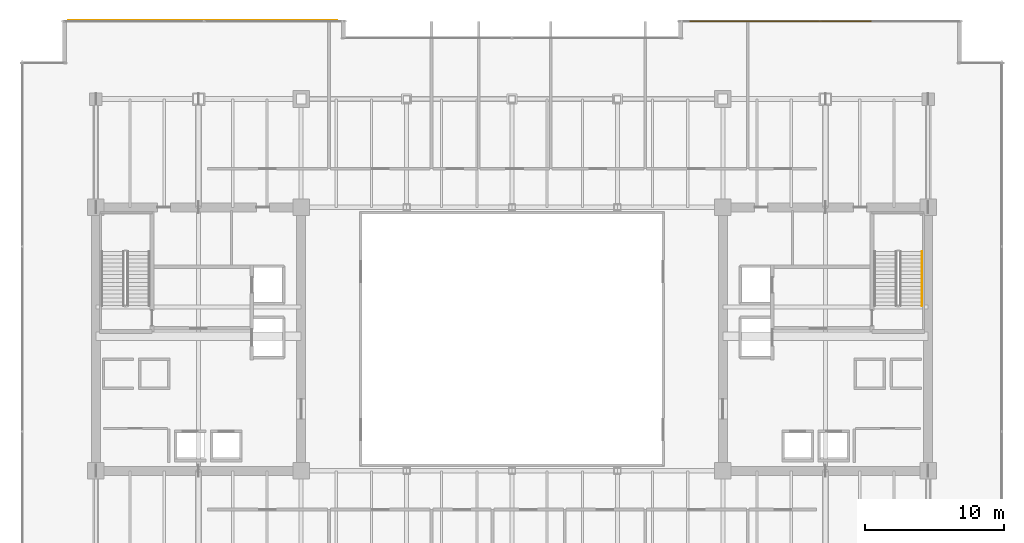
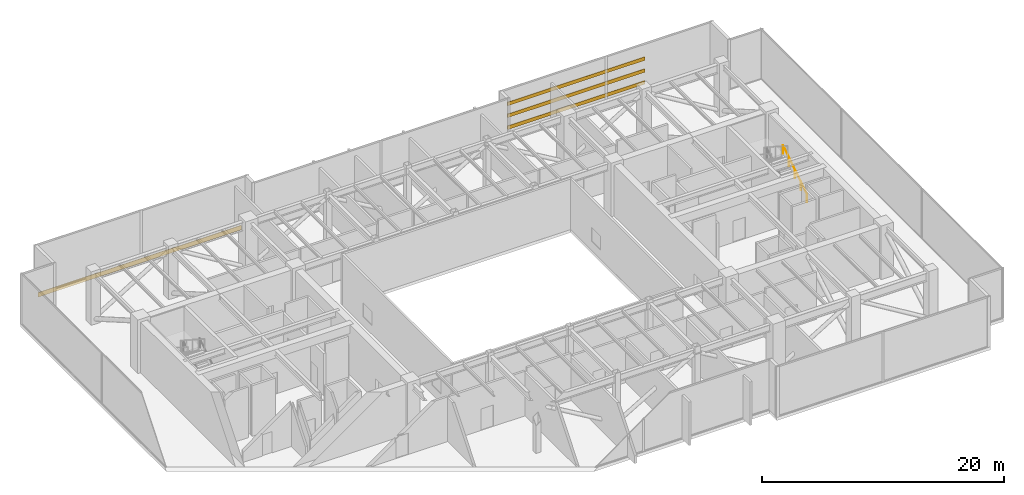
# One storey, part 34 of 34: 3 shading devices, 1 covering, 1 railing.
"""IFC4 building model written with IfcOpenShell, lengths in metres."""

from ifc_helpers import new_model, si_unit, direction, frame, frame_2d, origin, origin_2d, place, context, subcontext, project, spatial, rectangle, circle, extrude, source, transform, mapped, material, layer, layer_set, material_profile, profile_set, type_object, type_shapes, element, save


model = new_model("IFC4")

# Units and contexts
model_context = context("Model", 3, precision=1e-05, world=origin(), true_north=direction((0.0, 1.0)))
body_context = subcontext(model_context, "Body", "Model", "MODEL_VIEW")
ifc_project = project(units=[si_unit("LENGTHUNIT", "METRE"), si_unit("AREAUNIT", "SQUARE_METRE"), si_unit("VOLUMEUNIT", "CUBIC_METRE"), si_unit("PLANEANGLEUNIT", "RADIAN"), si_unit("MASSUNIT", "GRAM", prefix="KILO")], contexts=[model_context])

# Site, building, storey
site_placement = place(None, origin())
site = spatial("IfcSite", under=ifc_project, at=site_placement, CompositionType="ELEMENT")
building_placement = place(site_placement, origin())
building = spatial("IfcBuilding", under=site, at=building_placement, Name="Haelvirn Gate Laboratories", CompositionType="ELEMENT")
storey_placement = place(building_placement, frame((0.0, 0.0, 191.199951171875)))
storey = spatial("IfcBuildingStorey", under=building, at=storey_placement, Name="L46", CompositionType="ELEMENT", Elevation=191.199951171875)

# Covering
ifc_material_1 = material(Name="Anodised bronze honeycomb aluminium spandrel cladding", Category="aluminium")
ifc_layer = layer(ifc_material_1, 0.044921875, Name="COV-CLAD-BRZ")
ifc_layer_set = layer_set([ifc_layer], Name="Anodised bronze honeycomb aluminium spandrel cladding")
covering_type = type_object("IfcCoveringType", Name="COV-CLAD-BRZ", PredefinedType="CLADDING", material=ifc_layer_set)
covering_placement = place(storey_placement, frame((5.39990234375, 47.27001953125, -0.300048828125), z_axis=(0.0, 0.0, 1.0), x_axis=(1.0, 0.0, 0.0)))
element("IfcCovering", 1, at=covering_placement, inside=storey, type_object=covering_type, Name="L46 Bronze Slab-Edge Spandrel Cladding NW", PredefinedType="CLADDING", context=body_context, shape_type="SweptSolid", body=[
    extrude(rectangle(XDim=19.400146484375, YDim=0.044921875, at=frame_2d((9.7001953125, 0.0))), origin(), (0.0, 0.0, 1.0), 0.4501953125),
])

# Shading devices
ifc_material_2 = material(Name="Extruded aluminium 6063-T6 (anodised bronze)", Category="aluminium")
ifc_material_profile = material_profile(ifc_material_2, rectangle(XDim=0.080078125, YDim=0.360107421875, at=origin_2d()), Name="LOUV-360x80")
ifc_profile_set = profile_set([ifc_material_profile], Name="Extruded aluminium 6063-T6 (anodised bronze)")
shading_device_type = type_object("IfcShadingDeviceType", Name="SHD-LOUV-360", PredefinedType="USERDEFINED", material=ifc_profile_set)
shared_shape_1 = source(origin(), body_context, "Body", "SweptSolid", [
    extrude(rectangle(XDim=0.080078125, YDim=0.360107421875, at=origin_2d()), origin(), (0.0, 0.0, 1.0), 13.10009765625),
])
type_shapes(shading_device_type, [shared_shape_1])
for number, where, z_axis, x_axis, name in (
    (2, (50.199951171875, 47.219970703125, 1.150146484375), (1.0, 0.0, 0.0), (0.0, 1.0, 0.0), "L46 North Acoustic Plant Louvre 1"),
    (3, (50.199951171875, 47.219970703125, 2.35009765625), (1.0, 0.0, 0.0), (0.0, 1.0, 0.0), "L46 North Acoustic Plant Louvre 2"),
    (4, (50.199951171875, 47.219970703125, 3.550048828125), (1.0, 0.0, 0.0), (0.0, 1.0, 0.0), "L46 North Acoustic Plant Louvre 3"),
):
    element("IfcShadingDevice", number, at=place(storey_placement, frame(where, z_axis=z_axis, x_axis=x_axis)), inside=storey, type_object=shading_device_type, Name=name, ObjectType="LOUVRE", PredefinedType="USERDEFINED", context=body_context, shape_type="MappedRepresentation", body=[
        mapped(shared_shape_1, transform((0.0, 0.0, 0.0), scale=1.0)),
    ])

# Railing
ifc_material_3 = material(Name="Brushed stainless steel 316L", Category="steel")
railing_type = type_object("IfcRailingType", Name="RL-HAND-920", PredefinedType="HANDRAIL", material=ifc_material_3)
shared_shape_2 = source(origin(), body_context, "Body", "SweptSolid", [
    extrude(circle(Radius=0.02392578125, at=origin_2d()), frame((0.0, 0.0, 0.8759765625), z_axis=(0.0, 0.841186985886, 0.540744352514), x_axis=(-1.0, 0.0, 0.0)), (0.0, 0.0, 1.0), 4.660400390625),
    extrude(circle(Radius=0.02099609375, at=origin_2d()), origin(), (0.0, 0.0, 1.0), 0.851806640625),
    extrude(circle(Radius=0.02099609375, at=origin_2d()), frame((0.0, 0.97998046875, 0.6298828125)), (0.0, 0.0, 1.0), 0.851806640625),
    extrude(circle(Radius=0.02099609375, at=origin_2d()), frame((0.0, 1.9599609375, 1.260009765625)), (0.0, 0.0, 1.0), 0.851806640625),
    extrude(circle(Radius=0.02099609375, at=origin_2d()), frame((0.0, 2.940185546875, 1.89013671875)), (0.0, 0.0, 1.0), 0.851806640625),
    extrude(circle(Radius=0.02099609375, at=origin_2d()), frame((0.0, 3.920166015625, 2.52001953125)), (0.0, 0.0, 1.0), 0.851806640625),
])
type_shapes(railing_type, [shared_shape_2])
railing_placement = place(storey_placement, frame((66.949951171875, 26.699951171875, 0.179931640625)))
element("IfcRailing", 5, at=railing_placement, inside=storey, type_object=railing_type, Name="L46 ST2 stair handrail 1", PredefinedType="HANDRAIL", context=body_context, shape_type="MappedRepresentation", body=[
    mapped(shared_shape_2, transform((0.0, 0.0, 0.0), scale=1.0)),
])

save(model, "model.ifc")
